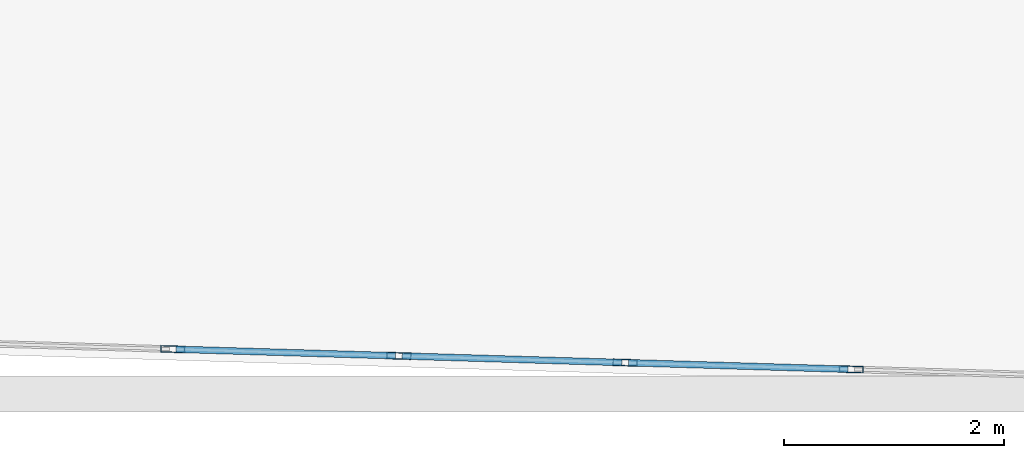
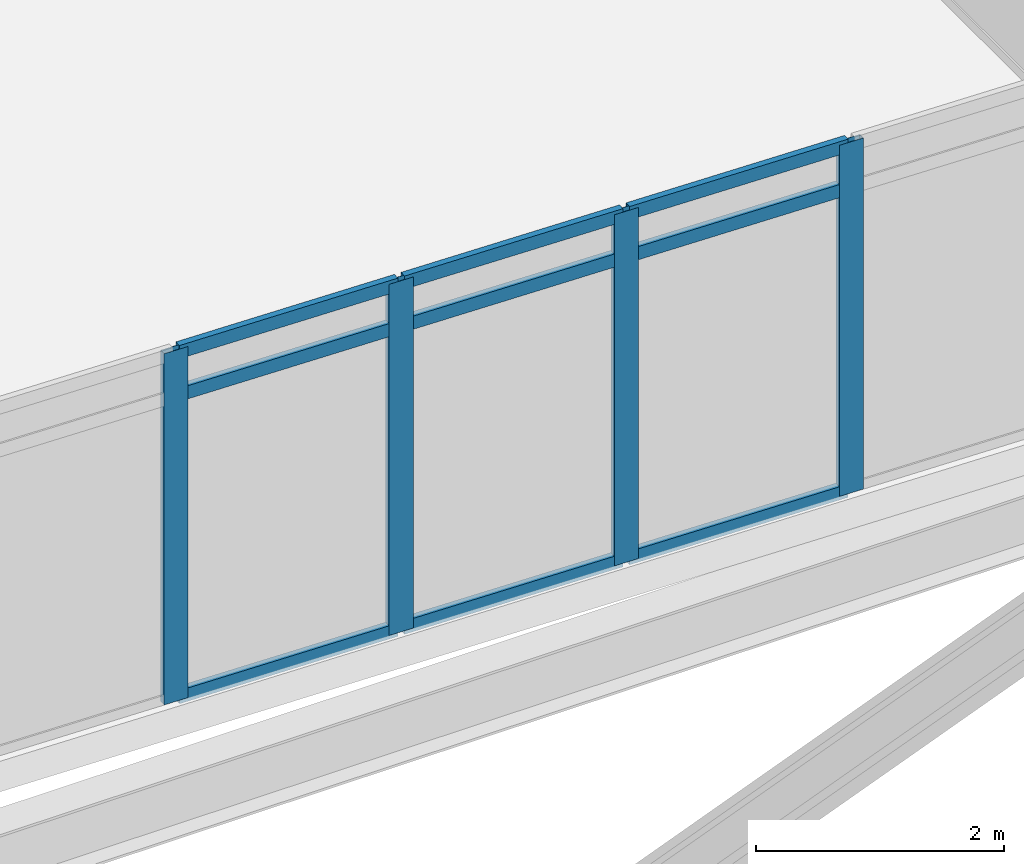
# One storey, part 9 of 37: 13 members, 1 element without a shape of its own.
"""IFC4 building model written with IfcOpenShell, lengths in metres."""

from ifc_helpers import new_model, si_unit, direction, frame, origin, origin_2d, place, context, subcontext, project, spatial, hollow_rectangle, extrude, material, material_profile, profile_set, type_object, element, aggregate, save


model = new_model("IFC4")

# Units and contexts
model_context = context("Model", 3, precision=1e-05, world=origin(), true_north=direction((0.0, 1.0)))
body_context = subcontext(model_context, "Body", "Model", "MODEL_VIEW")
ifc_project = project(units=[si_unit("LENGTHUNIT", "METRE"), si_unit("AREAUNIT", "SQUARE_METRE"), si_unit("VOLUMEUNIT", "CUBIC_METRE"), si_unit("PLANEANGLEUNIT", "RADIAN"), si_unit("MASSUNIT", "GRAM", prefix="KILO")], contexts=[model_context])

# Site, building, storey
site_placement = place(None, origin())
site = spatial("IfcSite", under=ifc_project, at=site_placement, CompositionType="ELEMENT")
building_placement = place(site_placement, origin())
building = spatial("IfcBuilding", under=site, at=building_placement, Name="Ostrander Bayou Hotel Tower", CompositionType="ELEMENT")
storey_placement = place(building_placement, frame((0.0, 0.0, 131.0)))
storey = spatial("IfcBuildingStorey", under=building, at=storey_placement, Name="L32", CompositionType="ELEMENT", Elevation=131.0)

# Curtain wall, members
ifc_material_1 = material(Name="Aluminium and clear glass", Category="aluminium")
curtain_wall_type = type_object("IfcCurtainWallType", Name="CW-BAR glazed wall", PredefinedType="NOTDEFINED", material=ifc_material_1)
curtain_wall_placement = place(storey_placement, origin())
curtain_wall = element("IfcCurtainWall", 1, at=curtain_wall_placement, inside=storey, type_object=curtain_wall_type, Name="CW-BAR L32:SB3S:T", PredefinedType="NOTDEFINED")
ifc_material_2 = material(Name="Aluminium", Category="aluminium")
ifc_material_profile_1 = material_profile(ifc_material_2, hollow_rectangle(XDim=0.06005859375, YDim=0.219970703125, WallThickness=0.00390625, at=origin_2d()))
ifc_profile_set_1 = profile_set([ifc_material_profile_1], Name="Aluminium")
member_type_1 = type_object("IfcMemberType", Name="CW-BR mullion 60 x 220 mm", PredefinedType="MULLION", material=ifc_profile_set_1)
member_1_placement = place(storey_placement, frame((3.084716796875, -31.041748046875, 0.0), z_axis=(0.0, 0.0, 1.0), x_axis=(0.029746242041, 0.999557482631, 0.0)))
member_1 = element("IfcMember", 2, at=member_1_placement, type_object=member_type_1, Name="CW-BAR mullion 9", PredefinedType="MULLION", context=body_context, shape_type="SweptSolid", body=[
    extrude(hollow_rectangle(XDim=0.06005859375, YDim=0.219970703125, WallThickness=0.00390625, at=origin_2d()), origin(), (0.0, 0.0, 1.0), 3.449951171875),
])
member_2_placement = place(storey_placement, frame((5.14111328125, -31.10302734375, 0.0), z_axis=(0.0, 0.0, 1.0), x_axis=(0.029746242041, 0.999557482631, 0.0)))
member_2 = element("IfcMember", 3, at=member_2_placement, type_object=member_type_1, Name="CW-BAR mullion 10", PredefinedType="MULLION", context=body_context, shape_type="SweptSolid", body=[
    extrude(hollow_rectangle(XDim=0.06005859375, YDim=0.219970703125, WallThickness=0.00390625, at=origin_2d()), origin(), (0.0, 0.0, 1.0), 3.449951171875),
])
member_3_placement = place(storey_placement, frame((7.19775390625, -31.164306640625, 0.0), z_axis=(0.0, 0.0, 1.0), x_axis=(0.029746242041, 0.999557482631, 0.0)))
member_3 = element("IfcMember", 4, at=member_3_placement, type_object=member_type_1, Name="CW-BAR mullion 11", PredefinedType="MULLION", context=body_context, shape_type="SweptSolid", body=[
    extrude(hollow_rectangle(XDim=0.06005859375, YDim=0.219970703125, WallThickness=0.00390625, at=origin_2d()), origin(), (0.0, 0.0, 1.0), 3.449951171875),
])
member_4_placement = place(storey_placement, frame((9.254150390625, -31.225341796875, 0.0), z_axis=(0.0, 0.0, 1.0), x_axis=(0.029746242041, 0.999557482631, 0.0)))
member_4 = element("IfcMember", 5, at=member_4_placement, type_object=member_type_1, Name="CW-BAR mullion 12", PredefinedType="MULLION", context=body_context, shape_type="SweptSolid", body=[
    extrude(hollow_rectangle(XDim=0.06005859375, YDim=0.219970703125, WallThickness=0.00390625, at=origin_2d()), origin(), (0.0, 0.0, 1.0), 3.449951171875),
])
ifc_material_3 = material(Name="Aluminium", Category="aluminium")
ifc_material_profile_2 = material_profile(ifc_material_3, hollow_rectangle(XDim=0.06005859375, YDim=0.1298828125, WallThickness=0.00390625, at=origin_2d()))
ifc_profile_set_2 = profile_set([ifc_material_profile_2], Name="Aluminium")
member_type_2 = type_object("IfcMemberType", Name="CW-BR transom 60 x 130 mm", PredefinedType="USERDEFINED", material=ifc_profile_set_2)
member_5_placement = place(storey_placement, frame((3.11474609375, -31.042724609375, 0.030029296875), z_axis=(0.999558835181, -0.029700757758, 0.0), x_axis=(0.029700757758, 0.999558835181, 0.0)))
member_5 = element("IfcMember", 6, at=member_5_placement, type_object=member_type_2, Name="CW-BAR transom 9.1", ObjectType="TRANSOM", PredefinedType="USERDEFINED", context=body_context, shape_type="SweptSolid", body=[
    extrude(hollow_rectangle(XDim=0.06005859375, YDim=0.1298828125, WallThickness=0.00390625, at=origin_2d()), origin(), (0.0, 0.0, 1.0), 1.99755859375),
])
member_6_placement = place(storey_placement, frame((3.11474609375, -31.042724609375, 3.0), z_axis=(0.999558835181, -0.029700757758, 0.0), x_axis=(0.029700757758, 0.999558835181, 0.0)))
member_6 = element("IfcMember", 7, at=member_6_placement, type_object=member_type_2, Name="CW-BAR transom 9.2", ObjectType="TRANSOM", PredefinedType="USERDEFINED", context=body_context, shape_type="SweptSolid", body=[
    extrude(hollow_rectangle(XDim=0.06005859375, YDim=0.1298828125, WallThickness=0.00390625, at=origin_2d()), origin(), (0.0, 0.0, 1.0), 1.99755859375),
])
member_7_placement = place(storey_placement, frame((3.11474609375, -31.042724609375, 3.419921875), z_axis=(0.999558835181, -0.029700757758, 0.0), x_axis=(0.029700757758, 0.999558835181, 0.0)))
member_7 = element("IfcMember", 8, at=member_7_placement, type_object=member_type_2, Name="CW-BAR transom 9.3", ObjectType="TRANSOM", PredefinedType="USERDEFINED", context=body_context, shape_type="SweptSolid", body=[
    extrude(hollow_rectangle(XDim=0.06005859375, YDim=0.1298828125, WallThickness=0.00390625, at=origin_2d()), origin(), (0.0, 0.0, 1.0), 1.99755859375),
])
member_8_placement = place(storey_placement, frame((5.171142578125, -31.10400390625, 0.030029296875), z_axis=(0.999558835181, -0.029700757758, 0.0), x_axis=(0.029700757758, 0.999558835181, 0.0)))
member_8 = element("IfcMember", 9, at=member_8_placement, type_object=member_type_2, Name="CW-BAR transom 10.1", ObjectType="TRANSOM", PredefinedType="USERDEFINED", context=body_context, shape_type="SweptSolid", body=[
    extrude(hollow_rectangle(XDim=0.06005859375, YDim=0.1298828125, WallThickness=0.00390625, at=origin_2d()), origin(), (0.0, 0.0, 1.0), 1.99755859375),
])
member_9_placement = place(storey_placement, frame((5.171142578125, -31.10400390625, 3.0), z_axis=(0.999558835181, -0.029700757758, 0.0), x_axis=(0.029700757758, 0.999558835181, 0.0)))
member_9 = element("IfcMember", 10, at=member_9_placement, type_object=member_type_2, Name="CW-BAR transom 10.2", ObjectType="TRANSOM", PredefinedType="USERDEFINED", context=body_context, shape_type="SweptSolid", body=[
    extrude(hollow_rectangle(XDim=0.06005859375, YDim=0.1298828125, WallThickness=0.00390625, at=origin_2d()), origin(), (0.0, 0.0, 1.0), 1.99755859375),
])
member_10_placement = place(storey_placement, frame((5.171142578125, -31.10400390625, 3.419921875), z_axis=(0.999558835181, -0.029700757758, 0.0), x_axis=(0.029700757758, 0.999558835181, 0.0)))
member_10 = element("IfcMember", 11, at=member_10_placement, type_object=member_type_2, Name="CW-BAR transom 10.3", ObjectType="TRANSOM", PredefinedType="USERDEFINED", context=body_context, shape_type="SweptSolid", body=[
    extrude(hollow_rectangle(XDim=0.06005859375, YDim=0.1298828125, WallThickness=0.00390625, at=origin_2d()), origin(), (0.0, 0.0, 1.0), 1.99755859375),
])
member_11_placement = place(storey_placement, frame((7.227783203125, -31.1650390625, 0.030029296875), z_axis=(0.999555090424, -0.029826518535, 0.0), x_axis=(0.029826518535, 0.999555090424, 0.0)))
member_11 = element("IfcMember", 12, at=member_11_placement, type_object=member_type_2, Name="CW-BAR transom 11.1", ObjectType="TRANSOM", PredefinedType="USERDEFINED", context=body_context, shape_type="SweptSolid", body=[
    extrude(hollow_rectangle(XDim=0.06005859375, YDim=0.1298828125, WallThickness=0.00390625, at=origin_2d()), origin(), (0.0, 0.0, 1.0), 1.997314453125),
])
member_12_placement = place(storey_placement, frame((7.227783203125, -31.1650390625, 3.0), z_axis=(0.999555090424, -0.029826518535, 0.0), x_axis=(0.029826518535, 0.999555090424, 0.0)))
member_12 = element("IfcMember", 13, at=member_12_placement, type_object=member_type_2, Name="CW-BAR transom 11.2", ObjectType="TRANSOM", PredefinedType="USERDEFINED", context=body_context, shape_type="SweptSolid", body=[
    extrude(hollow_rectangle(XDim=0.06005859375, YDim=0.1298828125, WallThickness=0.00390625, at=origin_2d()), origin(), (0.0, 0.0, 1.0), 1.997314453125),
])
member_13_placement = place(storey_placement, frame((7.227783203125, -31.1650390625, 3.419921875), z_axis=(0.999555090424, -0.029826518535, 0.0), x_axis=(0.029826518535, 0.999555090424, 0.0)))
member_13 = element("IfcMember", 14, at=member_13_placement, type_object=member_type_2, Name="CW-BAR transom 11.3", ObjectType="TRANSOM", PredefinedType="USERDEFINED", context=body_context, shape_type="SweptSolid", body=[
    extrude(hollow_rectangle(XDim=0.06005859375, YDim=0.1298828125, WallThickness=0.00390625, at=origin_2d()), origin(), (0.0, 0.0, 1.0), 1.997314453125),
])
aggregate(curtain_wall, [member_1, member_2, member_3, member_4, member_5, member_6, member_7, member_8, member_9, member_10, member_11, member_12, member_13])

save(model, "model.ifc")
